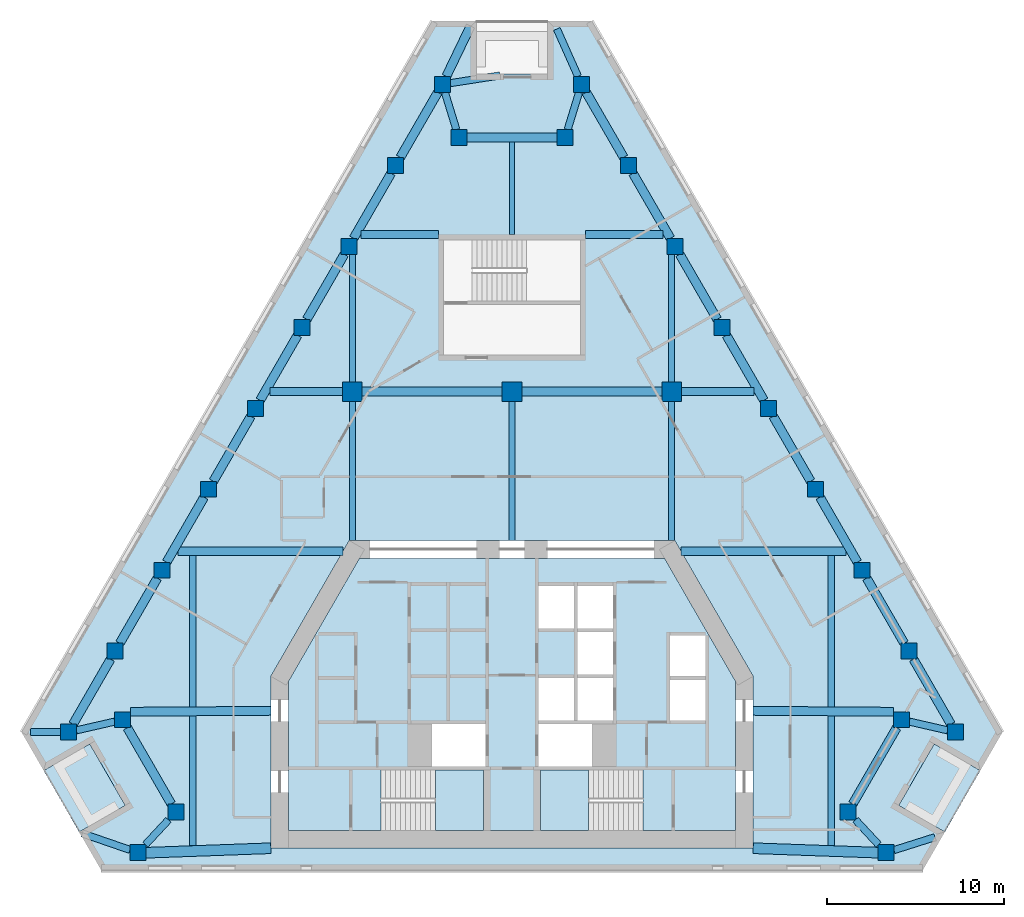
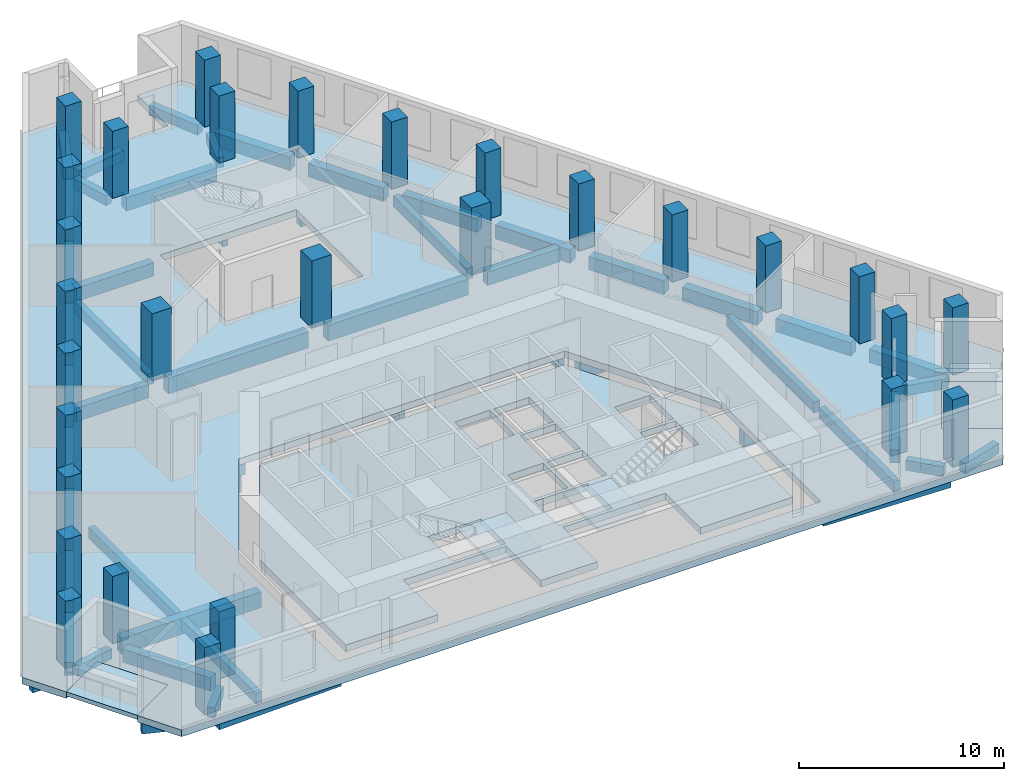
# One storey, part 1 of 9: 53 beams, 29 columns, 6 slabs, 2 elements without a shape of their own.
"""IFC4 building model written with IfcOpenShell, lengths in metres."""

from ifc_helpers import new_model, si_unit, direction, frame, origin, origin_2d, place, context, subcontext, project, spatial, polyline, rectangle, outline, extrude, material, layer, layer_set, material_profile, profile_set, type_object, element, aggregate, save


model = new_model("IFC4")

# Units and contexts
model_context = context("Model", 3, precision=1e-05, world=origin(), true_north=direction((0.0, 1.0)))
body_context = subcontext(model_context, "Body", "Model", "MODEL_VIEW")
ifc_project = project(units=[si_unit("LENGTHUNIT", "METRE"), si_unit("AREAUNIT", "SQUARE_METRE"), si_unit("VOLUMEUNIT", "CUBIC_METRE"), si_unit("PLANEANGLEUNIT", "RADIAN"), si_unit("MASSUNIT", "GRAM", prefix="KILO")], contexts=[model_context])

# Site, building, storey
site_placement = place(None, origin())
site = spatial("IfcSite", under=ifc_project, at=site_placement, CompositionType="ELEMENT")
building_placement = place(site_placement, origin())
building = spatial("IfcBuilding", under=site, at=building_placement, Name="Fogline Exchange Tower", CompositionType="ELEMENT")
storey_placement = place(building_placement, frame((0.0, 0.0, 198.10009765625)))
storey = spatial("IfcBuildingStorey", under=building, at=storey_placement, Name="L44", CompositionType="ELEMENT", Elevation=198.10009765625)

# Columns
ifc_material_1 = material(Name="Concrete C60", Category="concrete")
ifc_material_profile_1 = material_profile(ifc_material_1, rectangle(XDim=1.10009765625, YDim=1.10009765625, at=origin_2d()), Name="RC 1100x1100")
ifc_profile_set_1 = profile_set([ifc_material_profile_1], Name="Concrete C60")
column_type_1 = type_object("IfcColumnType", Name="C05", PredefinedType="COLUMN", material=ifc_profile_set_1)
for number, where, z_axis, x_axis, name in (
    (1, (-9.0, 27.0, 0.0), (0.0, 0.0, 1.0), (1.0, 0.0, 0.0), "IC--9-27"),
    (2, (0.0, 27.0, 0.0), (0.0, 0.0, 1.0), (1.0, 0.0, 0.0), "IC-0-27"),
    (3, (9.0, 27.0, 0.0), (0.0, 0.0, 1.0), (1.0, 0.0, 0.0), "IC-9-27"),
):
    element("IfcColumn", number, at=place(storey_placement, frame(where, z_axis=z_axis, x_axis=x_axis)), inside=storey, type_object=column_type_1, Name=name, PredefinedType="COLUMN", context=body_context, shape_type="SweptSolid", body=[
        extrude(rectangle(XDim=1.10009765625, YDim=1.10009765625, at=origin_2d()), origin(), (0.0, 0.0, 1.0), 4.0),
    ])
ifc_material_profile_2 = material_profile(ifc_material_1, rectangle(XDim=0.89990234375, YDim=0.89990234375, at=origin_2d()), Name="RC 900x900")
ifc_profile_set_2 = profile_set([ifc_material_profile_2], Name="Concrete C60")
column_type_2 = type_object("IfcColumnType", Name="C06", PredefinedType="COLUMN", material=ifc_profile_set_2)
for number, where, z_axis, x_axis, name in (
    (4, (-25.0146484375, 7.794189453125, 0.0), (0.0, 0.0, 1.0), (1.0, 0.0, 0.0), "SW-a"),
    (5, (-21.955322265625, 8.4951171875, 0.0), (0.0, 0.0, 1.0), (1.0, 0.0, 0.0), "SW-p4"),
    (6, (-18.955322265625, 3.299072265625, 0.0), (0.0, 0.0, 1.0), (1.0, 0.0, 0.0), "SW-p3"),
    (7, (-21.092041015625, 1.0, 0.0), (0.0, 0.0, 1.0), (1.0, 0.0, 0.0), "SW-b"),
    (8, (21.092041015625, 1.0, 0.0), (0.0, 0.0, 1.0), (1.0, 0.0, 0.0), "SE-a"),
    (9, (18.955322265625, 3.299072265625, 0.0), (0.0, 0.0, 1.0), (1.0, 0.0, 0.0), "SE-p4"),
    (10, (21.955322265625, 8.4951171875, 0.0), (0.0, 0.0, 1.0), (1.0, 0.0, 0.0), "SE-p3"),
    (11, (25.0146484375, 7.794189453125, 0.0), (0.0, 0.0, 1.0), (1.0, 0.0, 0.0), "SE-b"),
    (12, (22.378173828125, 12.36083984375, 0.0), (0.0, 0.0, 1.0), (1.0, 0.0, 0.0), "E1"),
    (13, (19.74169921875, 16.92724609375, 0.0), (0.0, 0.0, 1.0), (1.0, 0.0, 0.0), "E2"),
    (14, (17.105224609375, 21.493896484375, 0.0), (0.0, 0.0, 1.0), (1.0, 0.0, 0.0), "E3"),
    (15, (14.46875, 26.060302734375, 0.0), (0.0, 0.0, 1.0), (1.0, 0.0, 0.0), "E4"),
    (16, (11.832275390625, 30.626953125, 0.0), (0.0, 0.0, 1.0), (1.0, 0.0, 0.0), "E5"),
    (17, (9.19580078125, 35.193603515625, 0.0), (0.0, 0.0, 1.0), (1.0, 0.0, 0.0), "E6"),
    (18, (6.55908203125, 39.760009765625, 0.0), (0.0, 0.0, 1.0), (1.0, 0.0, 0.0), "E7"),
    (19, (3.922607421875, 44.32666015625, 0.0), (0.0, 0.0, 1.0), (1.0, 0.0, 0.0), "N-a"),
    (20, (3.0, 41.32666015625, 0.0), (0.0, 0.0, 1.0), (1.0, 0.0, 0.0), "N-p4"),
    (21, (-3.0, 41.32666015625, 0.0), (0.0, 0.0, 1.0), (1.0, 0.0, 0.0), "N-p3"),
    (22, (-3.922607421875, 44.32666015625, 0.0), (0.0, 0.0, 1.0), (1.0, 0.0, 0.0), "N-b"),
    (23, (-6.55908203125, 39.760009765625, 0.0), (0.0, 0.0, 1.0), (1.0, 0.0, 0.0), "W1"),
    (24, (-9.19580078125, 35.193603515625, 0.0), (0.0, 0.0, 1.0), (1.0, 0.0, 0.0), "W2"),
    (25, (-11.832275390625, 30.626953125, 0.0), (0.0, 0.0, 1.0), (1.0, 0.0, 0.0), "W3"),
    (26, (-14.46875, 26.060302734375, 0.0), (0.0, 0.0, 1.0), (1.0, 0.0, 0.0), "W4"),
    (27, (-17.105224609375, 21.493896484375, 0.0), (0.0, 0.0, 1.0), (1.0, 0.0, 0.0), "W5"),
    (28, (-19.74169921875, 16.92724609375, 0.0), (0.0, 0.0, 1.0), (1.0, 0.0, 0.0), "W6"),
    (29, (-22.378173828125, 12.36083984375, 0.0), (0.0, 0.0, 1.0), (1.0, 0.0, 0.0), "W7"),
):
    element("IfcColumn", number, at=place(storey_placement, frame(where, z_axis=z_axis, x_axis=x_axis)), inside=storey, type_object=column_type_2, Name=name, PredefinedType="COLUMN", context=body_context, shape_type="SweptSolid", body=[
        extrude(rectangle(XDim=0.89990234375, YDim=0.89990234375, at=origin_2d()), origin(), (0.0, 0.0, 1.0), 4.0),
    ])

# Beams
ifc_material_2 = material(Name="Concrete C40", Category="concrete")
ifc_material_profile_3 = material_profile(ifc_material_2, rectangle(XDim=0.300048828125, YDim=0.60009765625, at=origin_2d()), Name="RC 300x600")
ifc_profile_set_3 = profile_set([ifc_material_profile_3], Name="Concrete C40")
beam_type_1 = type_object("IfcBeamType", Name="B06", PredefinedType="BEAM", material=ifc_profile_set_3)
beam_1_placement = place(storey_placement, frame((0.0, 35.85693359375, -0.7001953125), z_axis=(0.0, 1.0, 0.0), x_axis=(-1.0, 0.0, 0.0)))
element("IfcBeam", 30, at=beam_1_placement, inside=storey, type_object=beam_type_1, Name="SB006", PredefinedType="BEAM", context=body_context, shape_type="SweptSolid", body=[
    extrude(rectangle(XDim=0.300048828125, YDim=0.60009765625, at=origin_2d()), origin(), (0.0, 0.0, 1.0), 5.2197265625),
])
ifc_material_profile_4 = material_profile(ifc_material_2, rectangle(XDim=0.60009765625, YDim=0.89990234375, at=origin_2d()), Name="RC 600x900")
ifc_profile_set_4 = profile_set([ifc_material_profile_4], Name="Concrete C40")
beam_type_2 = type_object("IfcBeamType", Name="B09", PredefinedType="BEAM", material=ifc_profile_set_4)
beam_2_placement = place(storey_placement, frame((-20.64208984375, 0.99462890625, -0.85009765625), z_axis=(0.999343107492, 0.036240219472, 0.0), x_axis=(-0.036240219472, 0.999343107492, 0.0)))
element("IfcBeam", 31, at=beam_2_placement, inside=storey, type_object=beam_type_2, Name="RB004", PredefinedType="BEAM", context=body_context, shape_type="SweptSolid", body=[
    extrude(rectangle(XDim=0.60009765625, YDim=0.89990234375, at=origin_2d()), origin(), (0.0, 0.0, 1.0), 7.046630859375),
])
beam_3_placement = place(storey_placement, frame((13.60009765625, 1.25, -0.85009765625), z_axis=(0.99937042328, -0.035478966629, 0.0), x_axis=(0.035478966629, 0.99937042328, 0.0)))
element("IfcBeam", 32, at=beam_3_placement, inside=storey, type_object=beam_type_2, Name="RB005", PredefinedType="BEAM", context=body_context, shape_type="SweptSolid", body=[
    extrude(rectangle(XDim=0.60009765625, YDim=0.89990234375, at=origin_2d()), origin(), (0.0, 0.0, 1.0), 7.04638671875),
])
ifc_material_profile_5 = material_profile(ifc_material_2, rectangle(XDim=0.5, YDim=0.800048828125, at=origin_2d()), Name="RC 500x800")
ifc_profile_set_5 = profile_set([ifc_material_profile_5], Name="Concrete C40")
beam_type_3 = type_object("IfcBeamType", Name="B10", PredefinedType="BEAM", material=ifc_profile_set_5)
for number, where, z_axis, x_axis, name in (
    (33, (-21.6953125, 8.045166015625, -0.800048828125), (0.499976646485, -0.866038886523, 0.0), (0.866038886523, 0.499976646485, 0.0), "RB002"),
    (34, (19.215087890625, 3.7490234375, -0.800048828125), (0.499976646485, 0.866038886523, 0.0), (-0.866038886523, 0.499976646485, 0.0), "RB007"),
):
    element("IfcBeam", number, at=place(storey_placement, frame(where, z_axis=z_axis, x_axis=x_axis)), inside=storey, type_object=beam_type_3, Name=name, PredefinedType="BEAM", context=body_context, shape_type="SweptSolid", body=[
        extrude(rectangle(XDim=0.5, YDim=0.800048828125, at=origin_2d()), origin(), (0.0, 0.0, 1.0), 4.960693359375),
    ])
beam_4_placement = place(storey_placement, frame((24.7548828125, 8.244140625, -0.800048828125), z_axis=(-0.499990325971, 0.866030989016, 0.0), x_axis=(-0.866030989016, -0.499990325971, 0.0)))
element("IfcBeam", 35, at=beam_4_placement, inside=storey, type_object=beam_type_3, Name="RB009", PredefinedType="BEAM", context=body_context, shape_type="SweptSolid", body=[
    extrude(rectangle(XDim=0.5, YDim=0.800048828125, at=origin_2d()), origin(), (0.0, 0.0, 1.0), 4.23388671875),
])
beam_5_placement = place(storey_placement, frame((22.118408203125, 12.810791015625, -0.800048828125), z_axis=(-0.500015295222, 0.866016572904, 0.0), x_axis=(-0.866016572904, -0.500015295222, 0.0)))
element("IfcBeam", 36, at=beam_5_placement, inside=storey, type_object=beam_type_3, Name="RB010", PredefinedType="BEAM", context=body_context, shape_type="SweptSolid", body=[
    extrude(rectangle(XDim=0.5, YDim=0.800048828125, at=origin_2d()), origin(), (0.0, 0.0, 1.0), 4.233642578125),
])
beam_6_placement = place(storey_placement, frame((19.481689453125, 17.377197265625, -0.800048828125), z_axis=(-0.499947076772, 0.866055956868, 0.0), x_axis=(-0.866055956868, -0.499947076772, 0.0)))
element("IfcBeam", 37, at=beam_6_placement, inside=storey, type_object=beam_type_3, Name="RB011", PredefinedType="BEAM", context=body_context, shape_type="SweptSolid", body=[
    extrude(rectangle(XDim=0.5, YDim=0.800048828125, at=origin_2d()), origin(), (0.0, 0.0, 1.0), 4.23388671875),
])
for number, where, z_axis, x_axis, name in (
    (38, (16.84521484375, 21.94384765625, -0.800048828125), (-0.499972045304, 0.866041542834, 0.0), (-0.866041542834, -0.499972045304, 0.0), "RB012"),
    (39, (14.208740234375, 26.510498046875, -0.800048828125), (-0.499972045304, 0.866041542834, 0.0), (-0.866041542834, -0.499972045304, 0.0), "RB013"),
    (40, (11.572265625, 31.076904296875, -0.800048828125), (-0.499972045304, 0.866041542834, 0.0), (-0.866041542834, -0.499972045304, 0.0), "RB014"),
    (41, (8.935791015625, 35.6435546875, -0.800048828125), (-0.499972045304, 0.866041542834, 0.0), (-0.866041542834, -0.499972045304, 0.0), "RB015"),
    (42, (6.29931640625, 40.210205078125, -0.800048828125), (-0.499972045304, 0.866041542834, 0.0), (-0.866041542834, -0.499972045304, 0.0), "RB016"),
):
    element("IfcBeam", number, at=place(storey_placement, frame(where, z_axis=z_axis, x_axis=x_axis)), inside=storey, type_object=beam_type_3, Name=name, PredefinedType="BEAM", context=body_context, shape_type="SweptSolid", body=[
        extrude(rectangle(XDim=0.5, YDim=0.800048828125, at=origin_2d()), origin(), (0.0, 0.0, 1.0), 4.233642578125),
    ])
beam_7_placement = place(storey_placement, frame((2.550048828125, 41.32666015625, -0.800048828125), z_axis=(-1.0, 0.0, 0.0), x_axis=(0.0, -1.0, 0.0)))
element("IfcBeam", 43, at=beam_7_placement, inside=storey, type_object=beam_type_3, Name="RB018", PredefinedType="BEAM", context=body_context, shape_type="SweptSolid", body=[
    extrude(rectangle(XDim=0.5, YDim=0.800048828125, at=origin_2d()), origin(), (0.0, 0.0, 1.0), 5.10009765625),
])
for number, where, z_axis, x_axis, name in (
    (44, (-4.1826171875, 43.876708984375, -0.800048828125), (-0.499972045304, -0.866041542834, 0.0), (0.866041542834, -0.499972045304, 0.0), "RB020"),
    (45, (-6.819091796875, 39.31005859375, -0.800048828125), (-0.499972045304, -0.866041542834, 0.0), (0.866041542834, -0.499972045304, 0.0), "RB021"),
    (46, (-9.45556640625, 34.743408203125, -0.800048828125), (-0.499972045304, -0.866041542834, 0.0), (0.866041542834, -0.499972045304, 0.0), "RB022"),
    (47, (-12.092041015625, 30.177001953125, -0.800048828125), (-0.499972045304, -0.866041542834, 0.0), (0.866041542834, -0.499972045304, 0.0), "RB023"),
    (48, (-14.728515625, 25.6103515625, -0.800048828125), (-0.499972045304, -0.866041542834, 0.0), (0.866041542834, -0.499972045304, 0.0), "RB024"),
):
    element("IfcBeam", number, at=place(storey_placement, frame(where, z_axis=z_axis, x_axis=x_axis)), inside=storey, type_object=beam_type_3, Name=name, PredefinedType="BEAM", context=body_context, shape_type="SweptSolid", body=[
        extrude(rectangle(XDim=0.5, YDim=0.800048828125, at=origin_2d()), origin(), (0.0, 0.0, 1.0), 4.233642578125),
    ])
beam_8_placement = place(storey_placement, frame((-17.364990234375, 21.0439453125, -0.800048828125), z_axis=(-0.499947076772, -0.866055956868, 0.0), x_axis=(0.866055956868, -0.499947076772, 0.0)))
element("IfcBeam", 49, at=beam_8_placement, inside=storey, type_object=beam_type_3, Name="RB025", PredefinedType="BEAM", context=body_context, shape_type="SweptSolid", body=[
    extrude(rectangle(XDim=0.5, YDim=0.800048828125, at=origin_2d()), origin(), (0.0, 0.0, 1.0), 4.23388671875),
])
beam_9_placement = place(storey_placement, frame((-20.00146484375, 16.477294921875, -0.800048828125), z_axis=(-0.500015295222, -0.866016572904, 0.0), x_axis=(0.866016572904, -0.500015295222, 0.0)))
element("IfcBeam", 50, at=beam_9_placement, inside=storey, type_object=beam_type_3, Name="RB026", PredefinedType="BEAM", context=body_context, shape_type="SweptSolid", body=[
    extrude(rectangle(XDim=0.5, YDim=0.800048828125, at=origin_2d()), origin(), (0.0, 0.0, 1.0), 4.233642578125),
])
beam_10_placement = place(storey_placement, frame((-22.637939453125, 11.910888671875, -0.800048828125), z_axis=(-0.499990325971, -0.866030989016, 0.0), x_axis=(0.866030989016, -0.499990325971, 0.0)))
element("IfcBeam", 51, at=beam_10_placement, inside=storey, type_object=beam_type_3, Name="RB027", PredefinedType="BEAM", context=body_context, shape_type="SweptSolid", body=[
    extrude(rectangle(XDim=0.5, YDim=0.800048828125, at=origin_2d()), origin(), (0.0, 0.0, 1.0), 4.23388671875),
])
beam_11_placement = place(storey_placement, frame((-3.705810546875, 44.776611328125, -0.800048828125), z_axis=(0.433976557903, 0.900924162841, 0.0), x_axis=(-0.900924162841, 0.433976557903, 0.0)))
element("IfcBeam", 52, at=beam_11_placement, inside=storey, type_object=beam_type_3, Name="SP028", PredefinedType="BEAM", context=body_context, shape_type="SweptSolid", body=[
    extrude(rectangle(XDim=0.5, YDim=0.800048828125, at=origin_2d()), origin(), (0.0, 0.0, 1.0), 3.14697265625),
])
ifc_material_profile_6 = material_profile(ifc_material_2, rectangle(XDim=0.39990234375, YDim=0.60009765625, at=origin_2d()), Name="RC 400x600")
ifc_profile_set_6 = profile_set([ifc_material_profile_6], Name="Concrete C40")
beam_type_4 = type_object("IfcBeamType", Name="B11", PredefinedType="BEAM", material=ifc_profile_set_6)
beam_12_placement = place(storey_placement, frame((-24.564697265625, 7.897216796875, -0.7001953125), z_axis=(0.974731818643, 0.223378337636, 0.0), x_axis=(-0.223378337636, 0.974731818643, 0.0)))
element("IfcBeam", 53, at=beam_12_placement, inside=storey, type_object=beam_type_4, Name="RB001", PredefinedType="BEAM", context=body_context, shape_type="SweptSolid", body=[
    extrude(rectangle(XDim=0.39990234375, YDim=0.60009765625, at=origin_2d()), origin(), (0.0, 0.0, 1.0), 2.21533203125),
])
for number, where, z_axis, x_axis, name in (
    (54, (-19.37353515625, 2.84912109375, -0.7001953125), (-0.68075009804, -0.732515736362, 0.0), (0.732515736362, -0.68075009804, 0.0), "RB003"),
    (55, (20.673828125, 1.449951171875, -0.7001953125), (-0.68075009804, 0.732515736362, 0.0), (-0.732515736362, -0.68075009804, 0.0), "RB006"),
):
    element("IfcBeam", number, at=place(storey_placement, frame(where, z_axis=z_axis, x_axis=x_axis)), inside=storey, type_object=beam_type_4, Name=name, PredefinedType="BEAM", context=body_context, shape_type="SweptSolid", body=[
        extrude(rectangle(XDim=0.39990234375, YDim=0.60009765625, at=origin_2d()), origin(), (0.0, 0.0, 1.0), 1.91015625),
    ])
beam_13_placement = place(storey_placement, frame((22.4052734375, 8.39208984375, -0.7001953125), z_axis=(0.974731818643, -0.223378337636, 0.0), x_axis=(0.223378337636, 0.974731818643, 0.0)))
element("IfcBeam", 56, at=beam_13_placement, inside=storey, type_object=beam_type_4, Name="RB008", PredefinedType="BEAM", context=body_context, shape_type="SweptSolid", body=[
    extrude(rectangle(XDim=0.39990234375, YDim=0.60009765625, at=origin_2d()), origin(), (0.0, 0.0, 1.0), 2.21533203125),
])
for number, where, z_axis, x_axis, name in (
    (57, (3.7841796875, 43.876708984375, -0.7001953125), (-0.293906253456, -0.95583425037, 0.0), (0.95583425037, -0.293906253456, 0.0), "RB017"),
    (58, (-3.138427734375, 41.776611328125, -0.7001953125), (-0.293906253456, 0.95583425037, 0.0), (-0.95583425037, -0.293906253456, 0.0), "RB019"),
):
    element("IfcBeam", number, at=place(storey_placement, frame(where, z_axis=z_axis, x_axis=x_axis)), inside=storey, type_object=beam_type_4, Name=name, PredefinedType="BEAM", context=body_context, shape_type="SweptSolid", body=[
        extrude(rectangle(XDim=0.39990234375, YDim=0.60009765625, at=origin_2d()), origin(), (0.0, 0.0, 1.0), 2.197021484375),
    ])
beam_14_placement = place(storey_placement, frame((3.72216796875, 44.776611328125, -0.7001953125), z_axis=(-0.406858193397, 0.913491330263, 0.0), x_axis=(-0.913491330263, -0.406858193397, 0.0)))
element("IfcBeam", 59, at=beam_14_placement, inside=storey, type_object=beam_type_4, Name="SP029", PredefinedType="BEAM", context=body_context, shape_type="SweptSolid", body=[
    extrude(rectangle(XDim=0.39990234375, YDim=0.60009765625, at=origin_2d()), origin(), (0.0, 0.0, 1.0), 2.926513671875),
])
beam_15_placement = place(storey_placement, frame((-21.5419921875, 1.1552734375, -0.7001953125), z_axis=(-0.945399347961, 0.325914210913, 0.0), x_axis=(-0.325914210913, -0.945399347961, 0.0)))
element("IfcBeam", 60, at=beam_15_placement, inside=storey, type_object=beam_type_4, Name="SP030", PredefinedType="BEAM", context=body_context, shape_type="SweptSolid", body=[
    extrude(rectangle(XDim=0.39990234375, YDim=0.60009765625, at=origin_2d()), origin(), (0.0, 0.0, 1.0), 2.853271484375),
])
beam_16_placement = place(storey_placement, frame((21.5419921875, 1.142578125, -0.7001953125), z_axis=(0.953254707246, 0.302167938593, 0.0), x_axis=(-0.302167938593, 0.953254707246, 0.0)))
element("IfcBeam", 61, at=beam_16_placement, inside=storey, type_object=beam_type_4, Name="SP031", PredefinedType="BEAM", context=body_context, shape_type="SweptSolid", body=[
    extrude(rectangle(XDim=0.39990234375, YDim=0.60009765625, at=origin_2d()), origin(), (0.0, 0.0, 1.0), 2.423095703125),
])
beam_17_placement = place(storey_placement, frame((-3.47265625, 44.396484375, -0.7001953125), z_axis=(0.988163069181, 0.153407133817, 0.0), x_axis=(-0.153407133817, 0.988163069181, 0.0)))
element("IfcBeam", 62, at=beam_17_placement, inside=storey, type_object=beam_type_4, Name="SP032", PredefinedType="BEAM", context=body_context, shape_type="SweptSolid", body=[
    extrude(rectangle(XDim=0.39990234375, YDim=0.60009765625, at=origin_2d()), origin(), (0.0, 0.0, 1.0), 2.826416015625),
])
beam_18_placement = place(storey_placement, frame((-25.464599609375, 7.794189453125, -0.7001953125), z_axis=(-1.0, 0.0, 0.0), x_axis=(0.0, -1.0, 0.0)))
element("IfcBeam", 63, at=beam_18_placement, inside=storey, type_object=beam_type_4, Name="SP033", PredefinedType="BEAM", context=body_context, shape_type="SweptSolid", body=[
    extrude(rectangle(XDim=0.39990234375, YDim=0.60009765625, at=origin_2d()), origin(), (0.0, 0.0, 1.0), 1.6943359375),
])
ifc_material_profile_7 = material_profile(ifc_material_2, rectangle(XDim=0.5, YDim=0.949951171875, at=origin_2d()), Name="RC 500x950")
ifc_profile_set_7 = profile_set([ifc_material_profile_7], Name="Concrete C40")
beam_type_5 = type_object("IfcBeamType", Name="B14", PredefinedType="BEAM", material=ifc_profile_set_7)
for number, where, z_axis, x_axis, name in (
    (64, (-21.50537109375, 8.9453125, -0.875), (0.999976072531, 0.006917684998, 0.0), (-0.006917684998, 0.999976072531, 0.0), "GB001"),
    (65, (13.60009765625, 9.0, -0.875), (0.999976072531, -0.006917684998, 0.0), (0.006917684998, 0.999976072531, 0.0), "GB002"),
):
    element("IfcBeam", number, at=place(storey_placement, frame(where, z_axis=z_axis, x_axis=x_axis)), inside=storey, type_object=beam_type_5, Name=name, PredefinedType="BEAM", context=body_context, shape_type="SweptSolid", body=[
        extrude(rectangle(XDim=0.5, YDim=0.949951171875, at=origin_2d()), origin(), (0.0, 0.0, 1.0), 7.905517578125),
    ])
for number, where, z_axis, x_axis, name in (
    (66, (-18.833740234375, 18.0, -0.875), (1.0, 0.0, 0.0), (0.0, 1.0, 0.0), "GB003"),
    (67, (9.527099609375, 18.0, -0.875), (1.0, 0.0, 0.0), (0.0, 1.0, 0.0), "GB004"),
):
    element("IfcBeam", number, at=place(storey_placement, frame(where, z_axis=z_axis, x_axis=x_axis)), inside=storey, type_object=beam_type_5, Name=name, PredefinedType="BEAM", context=body_context, shape_type="SweptSolid", body=[
        extrude(rectangle(XDim=0.5, YDim=0.949951171875, at=origin_2d()), origin(), (0.0, 0.0, 1.0), 9.306640625),
    ])
for number, where, z_axis, x_axis, name in (
    (68, (-8.449951171875, 27.0, -0.875), (1.0, 0.0, 0.0), (0.0, 1.0, 0.0), "GB006"),
    (69, (0.550048828125, 27.0, -0.875), (1.0, 0.0, 0.0), (0.0, 1.0, 0.0), "GB007"),
):
    element("IfcBeam", number, at=place(storey_placement, frame(where, z_axis=z_axis, x_axis=x_axis)), inside=storey, type_object=beam_type_5, Name=name, PredefinedType="BEAM", context=body_context, shape_type="SweptSolid", body=[
        extrude(rectangle(XDim=0.5, YDim=0.949951171875, at=origin_2d()), origin(), (0.0, 0.0, 1.0), 7.89990234375),
    ])
ifc_material_profile_8 = material_profile(ifc_material_2, rectangle(XDim=0.35009765625, YDim=0.64990234375, at=origin_2d()), Name="RC 350x650")
ifc_profile_set_8 = profile_set([ifc_material_profile_8], Name="Concrete C40")
beam_type_6 = type_object("IfcBeamType", Name="B16", PredefinedType="BEAM", material=ifc_profile_set_8)
beam_19_placement = place(storey_placement, frame((-18.0, 1.390625, -0.72509765625), z_axis=(0.0, 1.0, 0.0), x_axis=(-1.0, 0.0, 0.0)))
element("IfcBeam", 70, at=beam_19_placement, inside=storey, type_object=beam_type_6, Name="SB001", PredefinedType="BEAM", context=body_context, shape_type="SweptSolid", body=[
    extrude(rectangle(XDim=0.35009765625, YDim=0.64990234375, at=origin_2d()), origin(), (0.0, 0.0, 1.0), 7.328857421875),
])
beam_20_placement = place(storey_placement, frame((-18.0, 9.219482421875, -0.72509765625), z_axis=(0.0, 1.0, 0.0), x_axis=(-1.0, 0.0, 0.0)))
element("IfcBeam", 71, at=beam_20_placement, inside=storey, type_object=beam_type_6, Name="SB002", PredefinedType="BEAM", context=body_context, shape_type="SweptSolid", body=[
    extrude(rectangle(XDim=0.35009765625, YDim=0.64990234375, at=origin_2d()), origin(), (0.0, 0.0, 1.0), 8.530517578125),
])
beam_21_placement = place(storey_placement, frame((-9.0, 18.60009765625, -0.72509765625), z_axis=(0.0, 1.0, 0.0), x_axis=(-1.0, 0.0, 0.0)))
element("IfcBeam", 72, at=beam_21_placement, inside=storey, type_object=beam_type_6, Name="SB003", PredefinedType="BEAM", context=body_context, shape_type="SweptSolid", body=[
    extrude(rectangle(XDim=0.35009765625, YDim=0.64990234375, at=origin_2d()), origin(), (0.0, 0.0, 1.0), 7.849853515625),
])
beam_22_placement = place(storey_placement, frame((-9.0, 27.550048828125, -0.72509765625), z_axis=(0.0, 1.0, 0.0), x_axis=(-1.0, 0.0, 0.0)))
element("IfcBeam", 73, at=beam_22_placement, inside=storey, type_object=beam_type_6, Name="SB004", PredefinedType="BEAM", context=body_context, shape_type="SweptSolid", body=[
    extrude(rectangle(XDim=0.35009765625, YDim=0.64990234375, at=origin_2d()), origin(), (0.0, 0.0, 1.0), 7.193359375),
])
for number, where, z_axis, x_axis, name in (
    (74, (0.0, 18.60009765625, -0.72509765625), (0.0, 1.0, 0.0), (-1.0, 0.0, 0.0), "SB005"),
    (75, (9.0, 18.60009765625, -0.72509765625), (0.0, 1.0, 0.0), (-1.0, 0.0, 0.0), "SB007"),
):
    element("IfcBeam", number, at=place(storey_placement, frame(where, z_axis=z_axis, x_axis=x_axis)), inside=storey, type_object=beam_type_6, Name=name, PredefinedType="BEAM", context=body_context, shape_type="SweptSolid", body=[
        extrude(rectangle(XDim=0.35009765625, YDim=0.64990234375, at=origin_2d()), origin(), (0.0, 0.0, 1.0), 7.849853515625),
    ])
beam_23_placement = place(storey_placement, frame((9.0, 27.550048828125, -0.72509765625), z_axis=(0.0, 1.0, 0.0), x_axis=(-1.0, 0.0, 0.0)))
element("IfcBeam", 76, at=beam_23_placement, inside=storey, type_object=beam_type_6, Name="SB008", PredefinedType="BEAM", context=body_context, shape_type="SweptSolid", body=[
    extrude(rectangle(XDim=0.35009765625, YDim=0.64990234375, at=origin_2d()), origin(), (0.0, 0.0, 1.0), 7.193359375),
])
beam_24_placement = place(storey_placement, frame((18.0, 1.39404296875, -0.72509765625), z_axis=(0.0, 1.0, 0.0), x_axis=(-1.0, 0.0, 0.0)))
element("IfcBeam", 77, at=beam_24_placement, inside=storey, type_object=beam_type_6, Name="SB009", PredefinedType="BEAM", context=body_context, shape_type="SweptSolid", body=[
    extrude(rectangle(XDim=0.35009765625, YDim=0.64990234375, at=origin_2d()), origin(), (0.0, 0.0, 1.0), 7.325439453125),
])
beam_25_placement = place(storey_placement, frame((18.0, 9.219482421875, -0.72509765625), z_axis=(0.0, 1.0, 0.0), x_axis=(-1.0, 0.0, 0.0)))
element("IfcBeam", 78, at=beam_25_placement, inside=storey, type_object=beam_type_6, Name="SB010", PredefinedType="BEAM", context=body_context, shape_type="SweptSolid", body=[
    extrude(rectangle(XDim=0.35009765625, YDim=0.64990234375, at=origin_2d()), origin(), (0.0, 0.0, 1.0), 8.530517578125),
])
ifc_material_profile_9 = material_profile(ifc_material_2, rectangle(XDim=0.449951171875, YDim=0.800048828125, at=origin_2d()), Name="RC 450x800")
ifc_profile_set_9 = profile_set([ifc_material_profile_9], Name="Concrete C40")
beam_type_7 = type_object("IfcBeamType", Name="B18", PredefinedType="BEAM", material=ifc_profile_set_9)
for number, where, z_axis, x_axis, name in (
    (79, (-13.637451171875, 27.0, -0.800048828125), (1.0, 0.0, 0.0), (0.0, 1.0, 0.0), "GB005"),
    (80, (9.550048828125, 27.0, -0.800048828125), (1.0, 0.0, 0.0), (0.0, 1.0, 0.0), "GB008"),
):
    element("IfcBeam", number, at=place(storey_placement, frame(where, z_axis=z_axis, x_axis=x_axis)), inside=storey, type_object=beam_type_7, Name=name, PredefinedType="BEAM", context=body_context, shape_type="SweptSolid", body=[
        extrude(rectangle(XDim=0.449951171875, YDim=0.800048828125, at=origin_2d()), origin(), (0.0, 0.0, 1.0), 4.08740234375),
    ])
for number, where, z_axis, x_axis, name in (
    (81, (-8.52392578125, 35.85693359375, -0.800048828125), (1.0, 0.0, 0.0), (0.0, 1.0, 0.0), "GB009"),
    (82, (4.14990234375, 35.85693359375, -0.800048828125), (1.0, 0.0, 0.0), (0.0, 1.0, 0.0), "GB010"),
):
    element("IfcBeam", number, at=place(storey_placement, frame(where, z_axis=z_axis, x_axis=x_axis)), inside=storey, type_object=beam_type_7, Name=name, PredefinedType="BEAM", context=body_context, shape_type="SweptSolid", body=[
        extrude(rectangle(XDim=0.449951171875, YDim=0.800048828125, at=origin_2d()), origin(), (0.0, 0.0, 1.0), 4.3740234375),
    ])

# Slabs
ifc_layer_1 = layer(ifc_material_2, 0.25)
ifc_layer_set_1 = layer_set([ifc_layer_1], Name="DK1")
slab_type_1 = type_object("IfcSlabType", Name="DK1", PredefinedType="FLOOR", material=ifc_layer_set_1)
slab_1_placement = place(storey_placement, frame((0.0, 0.0, -0.25)))
element("IfcSlab", 83, at=slab_1_placement, inside=storey, type_object=slab_type_1, Name="Balcony L44 SW", PredefinedType="FLOOR", context=body_context, shape_type="SweptSolid", body=[
    extrude(outline(polyline([(-26.408935546875, 5.629150390625), (-24.408935546875, 2.1650390625), (-21.810791015625, 3.6650390625), (-23.810791015625, 7.129150390625), (-26.408935546875, 5.629150390625)])), origin(), (0.0, 0.0, 1.0), 0.25),
])
slab_2_placement = place(storey_placement, frame((0.0, 0.0, -0.25)))
element("IfcSlab", 84, at=slab_2_placement, inside=storey, type_object=slab_type_1, Name="Balcony L44 SE", PredefinedType="FLOOR", context=body_context, shape_type="SweptSolid", body=[
    extrude(outline(polyline([(24.408935546875, 2.1650390625), (26.408935546875, 5.629150390625), (23.810791015625, 7.129150390625), (21.810791015625, 3.6650390625), (24.408935546875, 2.1650390625)])), origin(), (0.0, 0.0, 1.0), 0.25),
])
ifc_layer_2 = layer(ifc_material_2, 0.39990234375)
ifc_layer_set_2 = layer_set([ifc_layer_2], Name="S03")
slab_type_2 = type_object("IfcSlabType", Name="S03", PredefinedType="FLOOR", material=ifc_layer_set_2)
slab_3_placement = place(storey_placement, frame((0.0, 0.0, -0.400146484375)))
element("IfcSlab", 85, at=slab_3_placement, inside=storey, type_object=slab_type_2, Name="SLAB L44", PredefinedType="FLOOR", context=body_context, shape_type="SweptSolid", body=[
    extrude(outline(polyline([(-2.0, 47.90673828125), (-4.5, 47.90673828125), (-27.658935546875, 7.794189453125), (-26.408935546875, 5.629150390625), (-23.810791015625, 7.129150390625), (-21.810791015625, 3.6650390625), (-24.408935546875, 2.1650390625), (-23.158935546875, 0.0), (23.158935546875, 0.0), (24.408935546875, 2.1650390625), (21.810791015625, 3.6650390625), (23.810791015625, 7.129150390625), (26.408935546875, 5.629150390625), (27.658935546875, 7.794189453125), (4.5, 47.90673828125), (2.0, 47.90673828125), (2.0, 44.90673828125), (-2.0, 44.90673828125), (-2.0, 47.90673828125)]), holes=[polyline([(13.60009765625, 10.9453125), (13.60009765625, 1.25), (-13.60009765625, 1.25), (-13.60009765625, 10.9453125), (-9.1806640625, 18.60009765625), (9.1806640625, 18.60009765625), (13.60009765625, 10.9453125)]), polyline([(3.85009765625, 35.556884765625), (3.85009765625, 29.056884765625), (-3.85009765625, 29.056884765625), (-3.85009765625, 35.556884765625), (3.85009765625, 35.556884765625)])]), origin(), (0.0, 0.0, 1.0), 0.400146484375),
])
slab_4_placement = place(storey_placement, frame((0.0, 0.0, -0.400146484375)))
element("IfcSlab", 86, at=slab_4_placement, inside=storey, type_object=slab_type_2, Name="Core floor slab", PredefinedType="FLOOR", context=body_context, shape_type="SweptSolid", body=[
    extrude(outline(polyline([(-12.60009765625, 2.25), (-12.60009765625, 10.677490234375), (-8.603271484375, 17.60009765625), (8.603271484375, 17.60009765625), (12.60009765625, 10.677490234375), (12.60009765625, 2.25), (7.389892578125, 2.25), (7.389892578125, 5.64990234375), (1.60009765625, 5.64990234375), (1.60009765625, 2.25), (-1.60009765625, 2.25), (-1.60009765625, 5.64990234375), (-7.389892578125, 5.64990234375), (-7.389892578125, 2.25), (-12.60009765625, 2.25)]), holes=[polyline([(-4.5, 8.25), (-4.5, 5.85009765625), (-1.5, 5.85009765625), (-1.5, 8.25), (-4.5, 8.25)]), polyline([(4.5, 8.25), (1.5, 8.25), (1.5, 5.85009765625), (4.5, 5.85009765625), (4.5, 8.25)]), polyline([(3.5, 10.85009765625), (1.5, 10.85009765625), (1.5, 8.449951171875), (3.5, 8.449951171875), (3.5, 10.85009765625)]), polyline([(1.5, 16.050048828125), (1.5, 13.64990234375), (3.5, 13.64990234375), (3.5, 16.050048828125), (1.5, 16.050048828125)]), polyline([(10.89990234375, 10.75), (8.89990234375, 10.75), (8.89990234375, 8.449951171875), (10.89990234375, 8.449951171875), (10.89990234375, 10.75)]), polyline([(5.699951171875, 10.85009765625), (3.699951171875, 10.85009765625), (3.699951171875, 8.449951171875), (5.699951171875, 8.449951171875), (5.699951171875, 10.85009765625)]), polyline([(8.89990234375, 13.25), (8.89990234375, 10.949951171875), (10.89990234375, 10.949951171875), (10.89990234375, 13.25), (8.89990234375, 13.25)]), polyline([(5.699951171875, 13.449951171875), (3.699951171875, 13.449951171875), (3.699951171875, 11.050048828125), (5.699951171875, 11.050048828125), (5.699951171875, 13.449951171875)]), polyline([(5.699951171875, 16.050048828125), (3.699951171875, 16.050048828125), (3.699951171875, 13.64990234375), (5.699951171875, 13.64990234375), (5.699951171875, 16.050048828125)])]), origin(), (0.0, 0.0, 1.0), 0.400146484375),
])

# Stair, slab
stair_type = type_object("IfcStairType", Name="STR24-1667", PredefinedType="HALF_TURN_STAIR", material=ifc_material_2)
stair_1_placement = place(storey_placement, origin())
stair_1 = element("IfcStair", 87, at=stair_1_placement, inside=storey, type_object=stair_type, Name="Stair ST1", PredefinedType="HALF_TURN_STAIR")
ifc_layer_3 = layer(ifc_material_2, 0.199951171875)
ifc_layer_set_3 = layer_set([ifc_layer_3], Name="SL200")
slab_type_3 = type_object("IfcSlabType", Name="SL200", PredefinedType="LANDING", material=ifc_layer_set_3)
slab_5_placement = place(storey_placement, frame((0.0, 0.0, 1.7998046875)))
slab_5 = element("IfcSlab", 88, at=slab_5_placement, type_object=slab_type_3, Name="ST1 landing 1", PredefinedType="LANDING", context=body_context, shape_type="SweptSolid", body=[
    extrude(outline(polyline([(-4.320068359375, 2.25), (-1.60009765625, 2.25), (-1.60009765625, 5.64990234375), (-4.320068359375, 5.64990234375), (-4.320068359375, 2.25)])), origin(), (0.0, 0.0, 1.0), 0.2001953125),
])
aggregate(stair_1, [slab_5])

stair_2_placement = place(storey_placement, origin())
stair_2 = element("IfcStair", 89, at=stair_2_placement, inside=storey, type_object=stair_type, Name="Stair ST2", PredefinedType="HALF_TURN_STAIR")
slab_6_placement = place(storey_placement, frame((0.0, 0.0, 1.7998046875)))
slab_6 = element("IfcSlab", 90, at=slab_6_placement, type_object=slab_type_3, Name="ST2 landing 1", PredefinedType="LANDING", context=body_context, shape_type="SweptSolid", body=[
    extrude(outline(polyline([(1.60009765625, 2.25), (4.320068359375, 2.25), (4.320068359375, 5.64990234375), (1.60009765625, 5.64990234375), (1.60009765625, 2.25)])), origin(), (0.0, 0.0, 1.0), 0.2001953125),
])
aggregate(stair_2, [slab_6])

save(model, "model.ifc")
